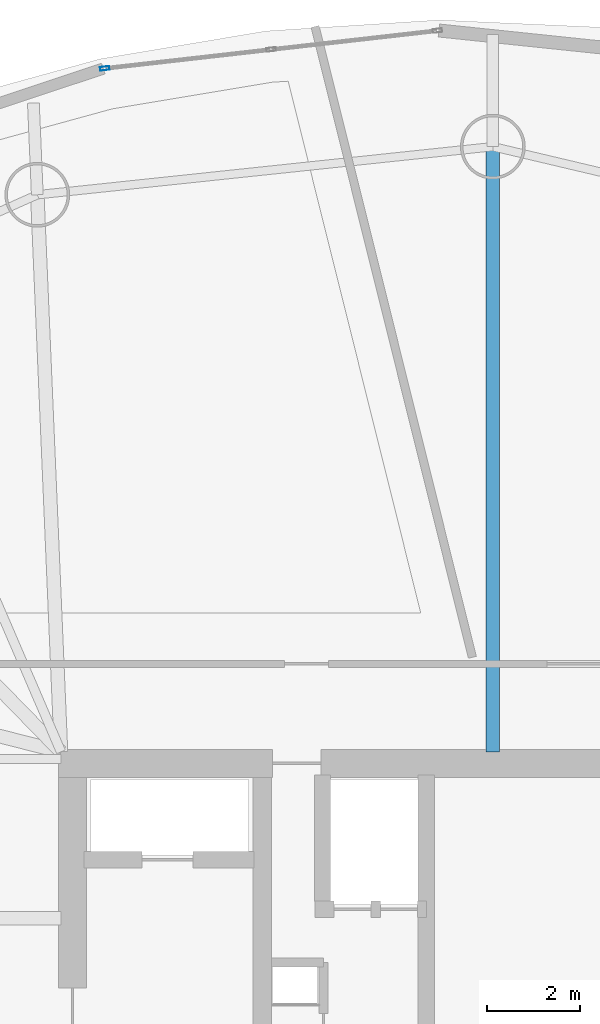
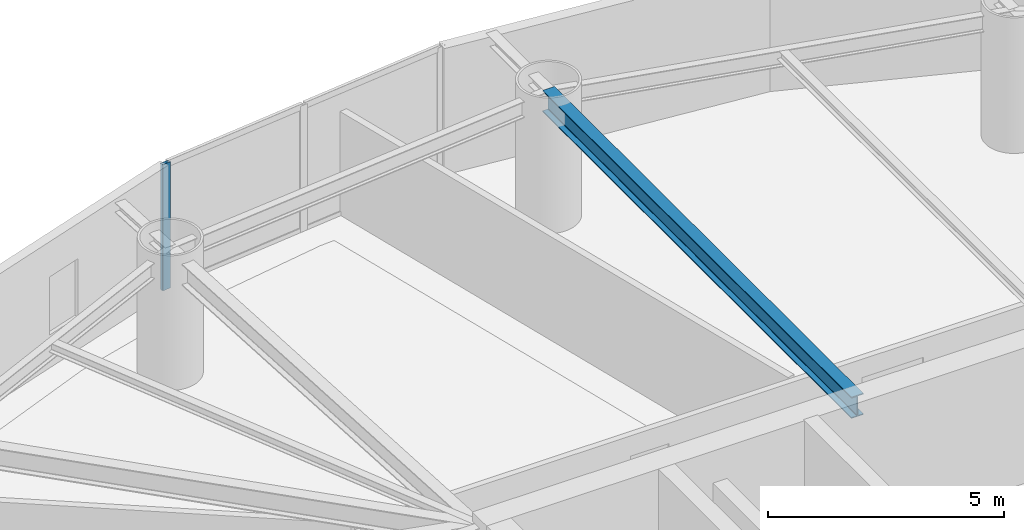
# One storey, part 11 of 22: 1 beam, 1 member, 1 element without a shape of its own.
"""IFC4 building model written with IfcOpenShell, lengths in metres."""

from ifc_helpers import new_model, si_unit, direction, frame, origin, origin_2d, place, context, subcontext, project, spatial, hollow_rectangle, i_section, extrude, material, layer, layer_set, material_profile, profile_set, type_object, element, aggregate, save


model = new_model("IFC4")

# Units and contexts
model_context = context("Model", 3, precision=1e-05, world=origin(), true_north=direction((0.0, 1.0)))
body_context = subcontext(model_context, "Body", "Model", "MODEL_VIEW")
ifc_project = project(units=[si_unit("LENGTHUNIT", "METRE"), si_unit("AREAUNIT", "SQUARE_METRE"), si_unit("VOLUMEUNIT", "CUBIC_METRE"), si_unit("PLANEANGLEUNIT", "RADIAN"), si_unit("MASSUNIT", "GRAM", prefix="KILO")], contexts=[model_context])

# Site, building, storey
site_placement = place(None, origin())
site = spatial("IfcSite", under=ifc_project, at=site_placement, CompositionType="ELEMENT")
building_placement = place(site_placement, origin())
building = spatial("IfcBuilding", under=site, at=building_placement, Name="Bramvorn Convention Spire", CompositionType="ELEMENT")
storey_placement = place(building_placement, frame((0.0, 0.0, 141.300048828125)))
storey = spatial("IfcBuildingStorey", under=building, at=storey_placement, Name="L35", CompositionType="ELEMENT", Elevation=141.300048828125)

# Beam
ifc_material_1 = material(Name="Steel CSA G40.21 Grade 350 (350W)", Category="steel")
ifc_material_profile_1 = material_profile(ifc_material_1, i_section(OverallWidth=0.2919921875, OverallDepth=0.551025390625, WebThickness=0.01513671875, FlangeThickness=0.0244140625, FilletRadius=0.01904296875, at=origin_2d()))
ifc_profile_set_1 = profile_set([ifc_material_profile_1], Name="Steel CSA G40.21 Grade 350 (350W) - W530X182")
beam_type = type_object("IfcBeamType", Name="BM-W530X182", PredefinedType="BEAM", material=ifc_profile_set_1)
beam_placement = place(storey_placement, frame((36.075927734375, 33.449951171875, 2.984375), z_axis=(0.0, 1.0, 0.0), x_axis=(-1.0, 0.0, 0.0)))
element("IfcBeam", 1, at=beam_placement, inside=storey, type_object=beam_type, Name="L35 radial floor girder MC06", PredefinedType="BEAM", context=body_context, shape_type="SweptSolid", body=[
    extrude(i_section(OverallWidth=0.2919921875, OverallDepth=0.551025390625, WebThickness=0.01513671875, FlangeThickness=0.0244140625, FilletRadius=0.01904296875, at=origin_2d()), origin(), (0.0, 0.0, 1.0), 13.0673828125),
])

# Curtain wall, member
ifc_material_2 = material(Name="Anodised Bronze Unitised Curtain Wall", Category="aluminium")
ifc_layer = layer(ifc_material_2, 0.179931640625)
ifc_layer_set = layer_set([ifc_layer], Name="Anodised Bronze Unitised Curtain Wall - CW-HTL-FRIT")
curtain_wall_type = type_object("IfcCurtainWallType", Name="CW-HTL-FRIT", PredefinedType="USERDEFINED", material=ifc_layer_set)
curtain_wall_placement = place(storey_placement, origin())
curtain_wall = element("IfcCurtainWall", 2, at=curtain_wall_placement, inside=storey, type_object=curtain_wall_type, Name="L35 fritted glass curtain wall 09", ObjectType="UNITISED CURTAIN WALL", PredefinedType="USERDEFINED")
ifc_material_3 = material(Name="Anodised Bronze Aluminium 6063-T6", Category="aluminium")
ifc_material_profile_2 = material_profile(ifc_material_3, hollow_rectangle(XDim=0.080078125, YDim=0.199951171875, WallThickness=0.00390625, InnerFilletRadius=0.0009765625, OuterFilletRadius=0.00390625, at=origin_2d()))
ifc_profile_set_2 = profile_set([ifc_material_profile_2], Name="Anodised Bronze Aluminium 6063-T6 - CWM80X200")
member_type = type_object("IfcMemberType", Name="CW-MUL-180", PredefinedType="MULLION", material=ifc_profile_set_2)
member_placement = place(storey_placement, frame((27.6943359375, 48.207275390625, 0.0), z_axis=(0.0, 0.0, 1.0), x_axis=(-0.112770294972, 0.993621085008, 0.0)))
member = element("IfcMember", 3, at=member_placement, type_object=member_type, Name="CW2 mullion 1", PredefinedType="MULLION", context=body_context, shape_type="SweptSolid", body=[
    extrude(hollow_rectangle(XDim=0.080078125, YDim=0.199951171875, WallThickness=0.00390625, InnerFilletRadius=0.0009765625, OuterFilletRadius=0.00390625, at=origin_2d()), origin(), (0.0, 0.0, 1.0), 3.260009765625),
])
aggregate(curtain_wall, [member])

save(model, "model.ifc")
